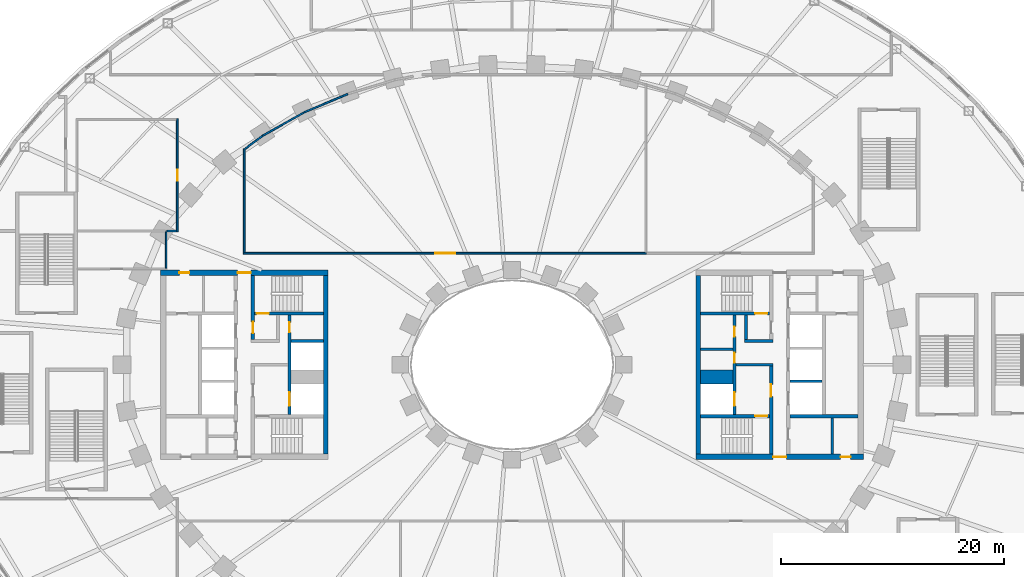
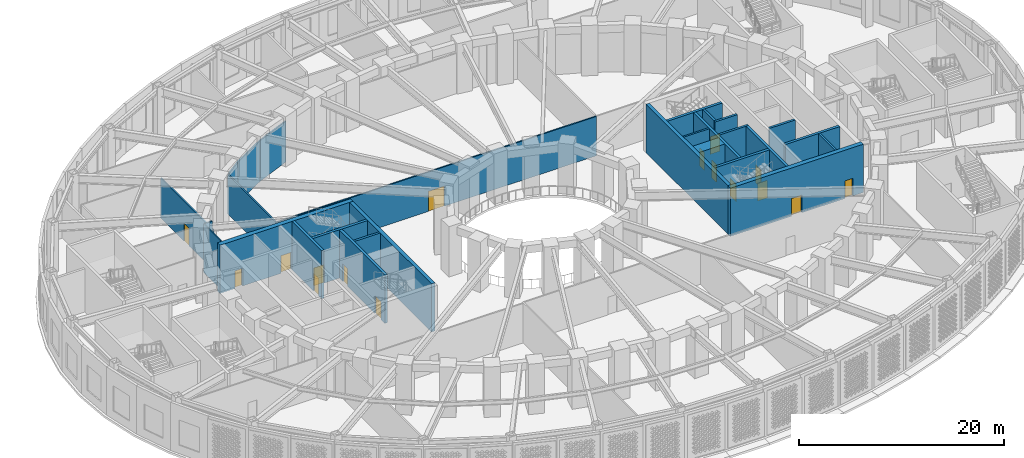
# One storey, part 23 of 74: 28 walls, 16 doors, 16 openings.
"""IFC4 building model written with IfcOpenShell, lengths in metres."""

from ifc_helpers import new_model, si_unit, direction, frame, frame_2d, origin, place, context, subcontext, project, spatial, rectangle, extrude, material, layer, layer_set, type_object, element, fill, save


model = new_model("IFC4")

# Units and contexts
model_context = context("Model", 3, precision=1e-05, world=origin(), true_north=direction((0.0, 1.0)))
body_context = subcontext(model_context, "Body", "Model", "MODEL_VIEW")
ifc_project = project(units=[si_unit("LENGTHUNIT", "METRE"), si_unit("AREAUNIT", "SQUARE_METRE"), si_unit("VOLUMEUNIT", "CUBIC_METRE"), si_unit("PLANEANGLEUNIT", "RADIAN"), si_unit("MASSUNIT", "GRAM", prefix="KILO")], contexts=[model_context])

# Site, building, storey
site_placement = place(None, origin())
site = spatial("IfcSite", under=ifc_project, at=site_placement, CompositionType="ELEMENT")
building_placement = place(site_placement, origin())
building = spatial("IfcBuilding", under=site, at=building_placement, Name="Noorbagh Ring Tower", CompositionType="ELEMENT")
storey_placement = place(building_placement, frame((0.0, 0.0, 13.5)))
storey = spatial("IfcBuildingStorey", under=building, at=storey_placement, Name="L02", CompositionType="ELEMENT", Elevation=13.5)

# Walls
ifc_material_1 = material(Name="Gypsum board on steel studs", Category="steel")
ifc_layer_1 = layer(ifc_material_1, 0.199951171875)
ifc_layer_set_1 = layer_set([ifc_layer_1], Name="Gypsum board on steel studs")
wall_type_1 = type_object("IfcWallType", Name="CORE-PARTITION-200", PredefinedType="PARTITIONING", material=ifc_layer_set_1)
wall_1_placement = place(storey_placement, frame((16.89990234375, 1.39990234375, 0.0), z_axis=(0.0, 0.0, 1.0), x_axis=(1.0, 0.0, 0.0)))
element("IfcWall", 1, at=wall_1_placement, inside=storey, type_object=wall_type_1, Name="Core partition E", PredefinedType="PARTITIONING", context=body_context, shape_type="SweptSolid", body=[
    extrude(rectangle(XDim=2.900146484375, YDim=0.199951171875, at=frame_2d((1.4501953125, 0.0))), origin(), (0.0, 0.0, 1.0), 5.75),
])
wall_2_placement = place(storey_placement, frame((28.699951171875, -8.0, 0.0), z_axis=(0.0, 0.0, 1.0), x_axis=(0.0, 1.0, 0.0)))
element("IfcWall", 2, at=wall_2_placement, inside=storey, type_object=wall_type_1, Name="Core partition E", PredefinedType="PARTITIONING", context=body_context, shape_type="SweptSolid", body=[
    extrude(rectangle(XDim=3.25, YDim=0.199951171875, at=frame_2d((1.625, 0.0))), origin(), (0.0, 0.0, 1.0), 5.75),
])
ifc_material_2 = material(Name="Concrete C70/85", Category="concrete")
ifc_layer_2 = layer(ifc_material_2, 1.25)
ifc_layer_set_2 = layer_set([ifc_layer_2], Name="Concrete C70/85")
wall_type_2 = type_object("IfcWallType", Name="CORE-WALL-1250-C70-85-EI120", PredefinedType="SHEAR", material=ifc_layer_set_2)
wall_3_placement = place(storey_placement, frame((16.89990234375, -1.074951171875, 0.0), z_axis=(0.0, 0.0, 1.0), x_axis=(1.0, 0.0, 0.0)))
element("IfcWall", 3, at=wall_3_placement, inside=storey, type_object=wall_type_2, Name="Core wall E", PredefinedType="SHEAR", context=body_context, shape_type="SweptSolid", body=[
    extrude(rectangle(XDim=2.900146484375, YDim=1.25, at=frame_2d((1.4501953125, 0.0))), origin(), (0.0, 0.0, 1.0), 5.75),
])
ifc_material_3 = material(Name="Concrete C70/85", Category="concrete")
ifc_layer_3 = layer(ifc_material_3, 0.25)
ifc_layer_set_3 = layer_set([ifc_layer_3], Name="Concrete C70/85")
wall_type_3 = type_object("IfcWallType", Name="CORE-WALL-250-C70-85-EI120", PredefinedType="SHEAR", material=ifc_layer_set_3)
for number, where, z_axis, x_axis, name in (
    (4, (-16.89990234375, 2.125, 0.0), (0.0, 0.0, 1.0), (-1.0, 0.0, 0.0), "Core wall W"),
    (5, (24.89990234375, -1.47509765625, 0.0), (0.0, 0.0, 1.0), (1.0, 0.0, 0.0), "Core wall E"),
):
    element("IfcWall", number, at=place(storey_placement, frame(where, z_axis=z_axis, x_axis=x_axis)), inside=storey, type_object=wall_type_3, Name=name, PredefinedType="SHEAR", context=body_context, shape_type="SweptSolid", body=[
        extrude(rectangle(XDim=2.900146484375, YDim=0.25, at=frame_2d((1.4501953125, 0.0))), origin(), (0.0, 0.0, 1.0), 5.75),
    ])
ifc_material_4 = material(Name="Concrete C70/85", Category="concrete")
ifc_layer_4 = layer(ifc_material_4, 0.25)
ifc_layer_set_4 = layer_set([ifc_layer_4], Name="Concrete C70/85")
wall_type_4 = type_object("IfcWallType", Name="CORE-WALL-250-C70-85-EI240", PredefinedType="SHEAR", material=ifc_layer_set_4)
wall_4_placement = place(storey_placement, frame((20.10009765625, 0.0, 0.0), z_axis=(0.0, 0.0, 1.0), x_axis=(1.0, 0.0, 0.0)))
element("IfcWall", 6, at=wall_4_placement, inside=storey, type_object=wall_type_4, Name="Core wall E", PredefinedType="SHEAR", context=body_context, shape_type="SweptSolid", body=[
    extrude(rectangle(XDim=3.27978515625, YDim=0.25, at=frame_2d((1.639892578125, 0.0))), origin(), (0.0, 0.0, 1.0), 5.75),
])
wall_5_placement = place(storey_placement, frame((20.85009765625, 2.125, 0.0), z_axis=(0.0, 0.0, 1.0), x_axis=(1.0, 0.0, 0.0)))
element("IfcWall", 7, at=wall_5_placement, inside=storey, type_object=wall_type_4, Name="Core wall E", PredefinedType="SHEAR", context=body_context, shape_type="SweptSolid", body=[
    extrude(rectangle(XDim=2.52978515625, YDim=0.25, at=frame_2d((1.264892578125, 0.0))), origin(), (0.0, 0.0, 1.0), 5.75),
])
wall_6_placement = place(storey_placement, frame((20.97509765625, 2.25, 0.0), z_axis=(0.0, 0.0, 1.0), x_axis=(0.0, 1.0, 0.0)))
element("IfcWall", 8, at=wall_6_placement, inside=storey, type_object=wall_type_4, Name="Core wall E", PredefinedType="SHEAR", context=body_context, shape_type="SweptSolid", body=[
    extrude(rectangle(XDim=2.199951171875, YDim=0.25, at=frame_2d((1.10009765625, 0.0))), origin(), (0.0, 0.0, 1.0), 5.75),
])

# Wall, openings, doors
ifc_material_5 = material(Name="Concrete C70/85", Category="concrete")
ifc_layer_5 = layer(ifc_material_5, 0.300048828125)
ifc_layer_set_5 = layer_set([ifc_layer_5], Name="Concrete C70/85")
wall_type_5 = type_object("IfcWallType", Name="CORE-WALL-300-C70-85-EI120", PredefinedType="SHEAR", material=ifc_layer_set_5)
wall_7_placement = place(storey_placement, frame((-19.949951171875, -4.449951171875, 0.0), z_axis=(0.0, 0.0, 1.0), x_axis=(0.0, 1.0, 0.0)))
wall_7 = element("IfcWall", 9, at=wall_7_placement, inside=storey, type_object=wall_type_5, Name="Core wall W", PredefinedType="SHEAR", context=body_context, shape_type="SweptSolid", body=[
    extrude(rectangle(XDim=8.89990234375, YDim=0.300048828125, at=frame_2d((4.449951171875, 0.0))), origin(), (0.0, 0.0, 1.0), 5.75),
])
opening_1_placement = place(wall_7_placement, frame((0.77490234375, 0.0, 0.0)))
opening_1 = element("IfcOpeningElement", 10, at=opening_1_placement, cuts=wall_7, Name="Opening L02-CW01", PredefinedType="OPENING", context=body_context, shape_type="SweptSolid", body=[
    extrude(rectangle(XDim=1.199951171875, YDim=2.10009765625, at=frame_2d((0.60009765625, 1.050048828125))), frame((0.0, 0.16015625, 0.0), z_axis=(0.0, -1.0, 0.0), x_axis=(1.0, 0.0, 0.0)), (0.0, 0.0, 1.0), 0.320068359375),
])
opening_2_placement = place(wall_7_placement, frame((7.35009765625, 0.0, 0.0)))
opening_2 = element("IfcOpeningElement", 11, at=opening_2_placement, cuts=wall_7, Name="Opening L02-CW11", PredefinedType="OPENING", context=body_context, shape_type="SweptSolid", body=[
    extrude(rectangle(XDim=0.89990234375, YDim=2.10009765625, at=frame_2d((0.449951171875, 1.050048828125))), frame((0.0, 0.16015625, 0.0), z_axis=(0.0, -1.0, 0.0), x_axis=(1.0, 0.0, 0.0)), (0.0, 0.0, 1.0), 0.320068359375),
])
ifc_material_6 = material(Name="Steel door leaf", Category="steel")
door_type_1 = type_object("IfcDoorType", Name="CORE-DOOR-DROOM", OperationType="SINGLE_SWING_LEFT", PredefinedType="DOOR", material=ifc_material_6)
door_1_placement = place(opening_2_placement, origin())
door_1 = element("IfcDoor", 12, at=door_1_placement, inside=storey, type_object=door_type_1, Name="Core room door L02-CW11", OperationType="SINGLE_SWING_LEFT", OverallHeight=2.10009765625, OverallWidth=0.89990234375, PredefinedType="DOOR", context=body_context, shape_type="SweptSolid", body=[
    extrude(rectangle(XDim=0.89990234375, YDim=2.10009765625, at=frame_2d((0.449951171875, 1.050048828125))), frame((0.0, 0.02490234375, 0.0), z_axis=(0.0, -1.0, 0.0), x_axis=(1.0, 0.0, 0.0)), (0.0, 0.0, 1.0), 0.050048828125),
])
fill(opening_2, door_1)
ifc_material_7 = material(Name="Steel door leaf", Category="steel")
door_type_2 = type_object("IfcDoorType", Name="CORE-DOOR-LDW", OperationType="DOUBLE_DOOR_SLIDING", PredefinedType="DOOR", material=ifc_material_7)
door_2_placement = place(opening_1_placement, origin())
door_2 = element("IfcDoor", 13, at=door_2_placement, inside=storey, type_object=door_type_2, Name="Landing door FF1 L02-CW01", OperationType="DOUBLE_DOOR_SLIDING", OverallHeight=2.10009765625, OverallWidth=1.199951171875, PredefinedType="DOOR", context=body_context, shape_type="SweptSolid", body=[
    extrude(rectangle(XDim=1.199951171875, YDim=2.10009765625, at=frame_2d((0.60009765625, 1.050048828125))), frame((0.0, 0.02490234375, 0.0), z_axis=(0.0, -1.0, 0.0), x_axis=(1.0, 0.0, 0.0)), (0.0, 0.0, 1.0), 0.050048828125),
])
fill(opening_1, door_2)

wall_8_placement = place(storey_placement, frame((19.949951171875, -4.449951171875, 0.0), z_axis=(0.0, 0.0, 1.0), x_axis=(0.0, 1.0, 0.0)))
wall_8 = element("IfcWall", 14, at=wall_8_placement, inside=storey, type_object=wall_type_5, Name="Core wall E", PredefinedType="SHEAR", context=body_context, shape_type="SweptSolid", body=[
    extrude(rectangle(XDim=8.89990234375, YDim=0.300048828125, at=frame_2d((4.449951171875, 0.0))), origin(), (0.0, 0.0, 1.0), 5.75),
])
opening_3_placement = place(wall_8_placement, frame((0.77490234375, 0.0, 0.0)))
opening_3 = element("IfcOpeningElement", 15, at=opening_3_placement, cuts=wall_8, Name="Opening L02-CE01", PredefinedType="OPENING", context=body_context, shape_type="SweptSolid", body=[
    extrude(rectangle(XDim=1.199951171875, YDim=2.10009765625, at=frame_2d((0.60009765625, 1.050048828125))), frame((0.0, 0.16015625, 0.0), z_axis=(0.0, -1.0, 0.0), x_axis=(1.0, 0.0, 0.0)), (0.0, 0.0, 1.0), 0.320068359375),
])
opening_4_placement = place(wall_8_placement, frame((4.6201171875, 0.0, 0.0)))
opening_4 = element("IfcOpeningElement", 16, at=opening_4_placement, cuts=wall_8, Name="Opening L02-CE11", PredefinedType="OPENING", context=body_context, shape_type="SweptSolid", body=[
    extrude(rectangle(XDim=0.89990234375, YDim=2.10009765625, at=frame_2d((0.449951171875, 1.050048828125))), frame((0.0, 0.16015625, 0.0), z_axis=(0.0, -1.0, 0.0), x_axis=(1.0, 0.0, 0.0)), (0.0, 0.0, 1.0), 0.320068359375),
])
opening_5_placement = place(wall_8_placement, frame((6.97509765625, 0.0, 0.0)))
opening_5 = element("IfcOpeningElement", 17, at=opening_5_placement, cuts=wall_8, Name="Opening L02-CE12", PredefinedType="OPENING", context=body_context, shape_type="SweptSolid", body=[
    extrude(rectangle(XDim=0.89990234375, YDim=2.10009765625, at=frame_2d((0.449951171875, 1.050048828125))), frame((0.0, 0.16015625, 0.0), z_axis=(0.0, -1.0, 0.0), x_axis=(1.0, 0.0, 0.0)), (0.0, 0.0, 1.0), 0.320068359375),
])
door_3_placement = place(opening_4_placement, origin())
door_3 = element("IfcDoor", 18, at=door_3_placement, inside=storey, type_object=door_type_1, Name="Core room door L02-CE11", OperationType="SINGLE_SWING_LEFT", OverallHeight=2.10009765625, OverallWidth=0.89990234375, PredefinedType="DOOR", context=body_context, shape_type="SweptSolid", body=[
    extrude(rectangle(XDim=0.89990234375, YDim=2.10009765625, at=frame_2d((0.449951171875, 1.050048828125))), frame((0.0, 0.02490234375, 0.0), z_axis=(0.0, -1.0, 0.0), x_axis=(1.0, 0.0, 0.0)), (0.0, 0.0, 1.0), 0.050048828125),
])
fill(opening_4, door_3)
door_4_placement = place(opening_5_placement, origin())
door_4 = element("IfcDoor", 19, at=door_4_placement, inside=storey, type_object=door_type_1, Name="Core room door L02-CE12", OperationType="SINGLE_SWING_RIGHT", OverallHeight=2.10009765625, OverallWidth=0.89990234375, PredefinedType="DOOR", context=body_context, shape_type="SweptSolid", body=[
    extrude(rectangle(XDim=0.89990234375, YDim=2.10009765625, at=frame_2d((0.449951171875, 1.050048828125))), frame((0.0, 0.02490234375, 0.0), z_axis=(0.0, -1.0, 0.0), x_axis=(1.0, 0.0, 0.0)), (0.0, 0.0, 1.0), 0.050048828125),
])
fill(opening_5, door_4)
door_5_placement = place(opening_3_placement, origin())
door_5 = element("IfcDoor", 20, at=door_5_placement, inside=storey, type_object=door_type_2, Name="Landing door FF2 L02-CE01", OperationType="DOUBLE_DOOR_SLIDING", OverallHeight=2.10009765625, OverallWidth=1.199951171875, PredefinedType="DOOR", context=body_context, shape_type="SweptSolid", body=[
    extrude(rectangle(XDim=1.199951171875, YDim=2.10009765625, at=frame_2d((0.60009765625, 1.050048828125))), frame((0.0, 0.02490234375, 0.0), z_axis=(0.0, -1.0, 0.0), x_axis=(1.0, 0.0, 0.0)), (0.0, 0.0, 1.0), 0.050048828125),
])
fill(opening_3, door_5)

# Wall, opening, door
ifc_material_8 = material(Name="Concrete C70/85", Category="concrete")
ifc_layer_6 = layer(ifc_material_8, 0.300048828125)
ifc_layer_set_6 = layer_set([ifc_layer_6], Name="Concrete C70/85")
wall_type_6 = type_object("IfcWallType", Name="CORE-WALL-300-C70-85-EI240", PredefinedType="SHEAR", material=ifc_layer_set_6)
wall_9_placement = place(storey_placement, frame((-23.22998046875, 2.25, 0.0), z_axis=(0.0, 0.0, 1.0), x_axis=(0.0, 1.0, 0.0)))
wall_9 = element("IfcWall", 21, at=wall_9_placement, inside=storey, type_object=wall_type_6, Name="Core wall W", PredefinedType="SHEAR", context=body_context, shape_type="SweptSolid", body=[
    extrude(rectangle(XDim=5.75, YDim=0.300048828125, at=frame_2d((2.875, 0.0))), origin(), (0.0, 0.0, 1.0), 5.75),
])
opening_6_placement = place(wall_9_placement, frame((0.60009765625, 0.0, 0.0)))
opening_6 = element("IfcOpeningElement", 22, at=opening_6_placement, cuts=wall_9, Name="Opening L02-CW08", PredefinedType="OPENING", context=body_context, shape_type="SweptSolid", body=[
    extrude(rectangle(XDim=1.0, YDim=2.10009765625, at=frame_2d((0.5, 1.050048828125))), frame((0.0, 0.16015625, 0.0), z_axis=(0.0, -1.0, 0.0), x_axis=(1.0, 0.0, 0.0)), (0.0, 0.0, 1.0), 0.320068359375),
])
ifc_material_9 = material(Name="Steel door leaf", Category="steel")
door_type_3 = type_object("IfcDoorType", Name="CORE-DOOR-DVEST", OperationType="SINGLE_SWING_LEFT", PredefinedType="DOOR", material=ifc_material_9)
door_6_placement = place(opening_6_placement, origin())
door_6 = element("IfcDoor", 23, at=door_6_placement, inside=storey, type_object=door_type_3, Name="Stair vestibule door L02-CW08", OperationType="SINGLE_SWING_LEFT", OverallHeight=2.10009765625, OverallWidth=1.0, PredefinedType="DOOR", context=body_context, shape_type="SweptSolid", body=[
    extrude(rectangle(XDim=1.0, YDim=2.10009765625, at=frame_2d((0.5, 1.050048828125))), frame((0.0, 0.02490234375, 0.0), z_axis=(0.0, -1.0, 0.0), x_axis=(1.0, 0.0, 0.0)), (0.0, 0.0, 1.0), 0.050048828125),
])
fill(opening_6, door_6)

wall_10_placement = place(storey_placement, frame((-16.89990234375, 4.60009765625, 0.0), z_axis=(0.0, 0.0, 1.0), x_axis=(-1.0, 0.0, 0.0)))
wall_10 = element("IfcWall", 24, at=wall_10_placement, inside=storey, type_object=wall_type_6, Name="Core wall W", PredefinedType="SHEAR", context=body_context, shape_type="SweptSolid", body=[
    extrude(rectangle(XDim=6.18017578125, YDim=0.300048828125, at=frame_2d((3.090087890625, 0.0))), origin(), (0.0, 0.0, 1.0), 5.75),
])
opening_7_placement = place(wall_10_placement, frame((4.89990234375, 0.0, 0.0)))
opening_7 = element("IfcOpeningElement", 25, at=opening_7_placement, cuts=wall_10, Name="Opening L02-CW05", PredefinedType="OPENING", context=body_context, shape_type="SweptSolid", body=[
    extrude(rectangle(XDim=1.10009765625, YDim=2.10009765625, at=frame_2d((0.550048828125, 1.050048828125))), frame((0.0, 0.16015625, 0.0), z_axis=(0.0, -1.0, 0.0), x_axis=(1.0, 0.0, 0.0)), (0.0, 0.0, 1.0), 0.320068359375),
])
ifc_material_10 = material(Name="Steel door leaf", Category="steel")
door_type_4 = type_object("IfcDoorType", Name="CORE-DOOR-DSTAIR", OperationType="SINGLE_SWING_LEFT", PredefinedType="DOOR", material=ifc_material_10)
door_7_placement = place(opening_7_placement, origin())
door_7 = element("IfcDoor", 26, at=door_7_placement, inside=storey, type_object=door_type_4, Name="Stair door ST1 L02-CW05", OperationType="SINGLE_SWING_RIGHT", OverallHeight=2.10009765625, OverallWidth=1.10009765625, PredefinedType="DOOR", context=body_context, shape_type="SweptSolid", body=[
    extrude(rectangle(XDim=1.10009765625, YDim=2.10009765625, at=frame_2d((0.550048828125, 1.050048828125))), frame((0.0, 0.02490234375, 0.0), z_axis=(0.0, -1.0, 0.0), x_axis=(1.0, 0.0, 0.0)), (0.0, 0.0, 1.0), 0.050048828125),
])
fill(opening_7, door_7)

# Wall
wall_11_placement = place(storey_placement, frame((24.89990234375, -4.60009765625, 0.0), z_axis=(0.0, 0.0, 1.0), x_axis=(1.0, 0.0, 0.0)))
element("IfcWall", 27, at=wall_11_placement, inside=storey, type_object=wall_type_6, Name="Core wall E", PredefinedType="SHEAR", context=body_context, shape_type="SweptSolid", body=[
    extrude(rectangle(XDim=6.10009765625, YDim=0.300048828125, at=frame_2d((3.050048828125, 0.0))), origin(), (0.0, 0.0, 1.0), 5.75),
])

# Wall, opening, door
wall_12_placement = place(storey_placement, frame((23.22998046875, -8.0, 0.0), z_axis=(0.0, 0.0, 1.0), x_axis=(0.0, 1.0, 0.0)))
wall_12 = element("IfcWall", 28, at=wall_12_placement, inside=storey, type_object=wall_type_6, Name="Core wall E", PredefinedType="SHEAR", context=body_context, shape_type="SweptSolid", body=[
    extrude(rectangle(XDim=7.875, YDim=0.300048828125, at=frame_2d((3.9375, 0.0))), origin(), (0.0, 0.0, 1.0), 5.75),
])
opening_8_placement = place(wall_12_placement, frame((5.14990234375, 0.0, 0.0)))
opening_8 = element("IfcOpeningElement", 29, at=opening_8_placement, cuts=wall_12, Name="Opening L02-CE07", PredefinedType="OPENING", context=body_context, shape_type="SweptSolid", body=[
    extrude(rectangle(XDim=1.10009765625, YDim=2.10009765625, at=frame_2d((0.550048828125, 1.050048828125))), frame((0.0, 0.16015625, 0.0), z_axis=(0.0, -1.0, 0.0), x_axis=(1.0, 0.0, 0.0)), (0.0, 0.0, 1.0), 0.320068359375),
])
ifc_material_11 = material(Name="Steel door leaf", Category="steel")
door_type_5 = type_object("IfcDoorType", Name="CORE-DOOR-DFF", OperationType="SINGLE_SWING_LEFT", PredefinedType="DOOR", material=ifc_material_11)
door_8_placement = place(opening_8_placement, origin())
door_8 = element("IfcDoor", 30, at=door_8_placement, inside=storey, type_object=door_type_5, Name="Firefighting lobby door L02-CE07", OperationType="SINGLE_SWING_RIGHT", OverallHeight=2.10009765625, OverallWidth=1.10009765625, PredefinedType="DOOR", context=body_context, shape_type="SweptSolid", body=[
    extrude(rectangle(XDim=1.10009765625, YDim=2.10009765625, at=frame_2d((0.550048828125, 1.050048828125))), frame((0.0, 0.02490234375, 0.0), z_axis=(0.0, -1.0, 0.0), x_axis=(1.0, 0.0, 0.0)), (0.0, 0.0, 1.0), 0.050048828125),
])
fill(opening_8, door_8)

wall_13_placement = place(storey_placement, frame((16.89990234375, 4.60009765625, 0.0), z_axis=(0.0, 0.0, 1.0), x_axis=(1.0, 0.0, 0.0)))
wall_13 = element("IfcWall", 31, at=wall_13_placement, inside=storey, type_object=wall_type_6, Name="Core wall E", PredefinedType="SHEAR", context=body_context, shape_type="SweptSolid", body=[
    extrude(rectangle(XDim=6.18017578125, YDim=0.300048828125, at=frame_2d((3.090087890625, 0.0))), origin(), (0.0, 0.0, 1.0), 5.75),
])
opening_9_placement = place(wall_13_placement, frame((4.89990234375, 0.0, 0.0)))
opening_9 = element("IfcOpeningElement", 32, at=opening_9_placement, cuts=wall_13, Name="Opening L02-CE05", PredefinedType="OPENING", context=body_context, shape_type="SweptSolid", body=[
    extrude(rectangle(XDim=1.10009765625, YDim=2.10009765625, at=frame_2d((0.550048828125, 1.050048828125))), frame((0.0, 0.16015625, 0.0), z_axis=(0.0, -1.0, 0.0), x_axis=(1.0, 0.0, 0.0)), (0.0, 0.0, 1.0), 0.320068359375),
])
door_9_placement = place(opening_9_placement, origin())
door_9 = element("IfcDoor", 33, at=door_9_placement, inside=storey, type_object=door_type_4, Name="Stair door ST3 L02-CE05", OperationType="SINGLE_SWING_LEFT", OverallHeight=2.10009765625, OverallWidth=1.10009765625, PredefinedType="DOOR", context=body_context, shape_type="SweptSolid", body=[
    extrude(rectangle(XDim=1.10009765625, YDim=2.10009765625, at=frame_2d((0.550048828125, 1.050048828125))), frame((0.0, 0.02490234375, 0.0), z_axis=(0.0, -1.0, 0.0), x_axis=(1.0, 0.0, 0.0)), (0.0, 0.0, 1.0), 0.050048828125),
])
fill(opening_9, door_9)

wall_14_placement = place(storey_placement, frame((16.89990234375, -4.60009765625, 0.0), z_axis=(0.0, 0.0, 1.0), x_axis=(1.0, 0.0, 0.0)))
wall_14 = element("IfcWall", 34, at=wall_14_placement, inside=storey, type_object=wall_type_6, Name="Core wall E", PredefinedType="SHEAR", context=body_context, shape_type="SweptSolid", body=[
    extrude(rectangle(XDim=6.18017578125, YDim=0.300048828125, at=frame_2d((3.090087890625, 0.0))), origin(), (0.0, 0.0, 1.0), 5.75),
])
opening_10_placement = place(wall_14_placement, frame((4.89990234375, 0.0, 0.0)))
opening_10 = element("IfcOpeningElement", 35, at=opening_10_placement, cuts=wall_14, Name="Opening L02-CE06", PredefinedType="OPENING", context=body_context, shape_type="SweptSolid", body=[
    extrude(rectangle(XDim=1.10009765625, YDim=2.10009765625, at=frame_2d((0.550048828125, 1.050048828125))), frame((0.0, 0.16015625, 0.0), z_axis=(0.0, -1.0, 0.0), x_axis=(1.0, 0.0, 0.0)), (0.0, 0.0, 1.0), 0.320068359375),
])
door_10_placement = place(opening_10_placement, origin())
door_10 = element("IfcDoor", 36, at=door_10_placement, inside=storey, type_object=door_type_4, Name="Stair door ST4 L02-CE06", OperationType="SINGLE_SWING_RIGHT", OverallHeight=2.10009765625, OverallWidth=1.10009765625, PredefinedType="DOOR", context=body_context, shape_type="SweptSolid", body=[
    extrude(rectangle(XDim=1.10009765625, YDim=2.10009765625, at=frame_2d((0.550048828125, 1.050048828125))), frame((0.0, 0.02490234375, 0.0), z_axis=(0.0, -1.0, 0.0), x_axis=(1.0, 0.0, 0.0)), (0.0, 0.0, 1.0), 0.050048828125),
])
fill(opening_10, door_10)

# Walls
ifc_material_12 = material(Name="Concrete C70/85", Category="concrete")
ifc_layer_7 = layer(ifc_material_12, 0.39990234375)
ifc_layer_set_7 = layer_set([ifc_layer_7], Name="Concrete C70/85")
wall_type_7 = type_object("IfcWallType", Name="CORE-WALL-400-C70-85-EI240", PredefinedType="SHEAR", material=ifc_layer_set_7)
for number, where, z_axis, x_axis, name in (
    (37, (-16.699951171875, -8.0, 0.0), (0.0, 0.0, 1.0), (0.0, 1.0, 0.0), "Core wall W"),
    (38, (16.699951171875, -8.0, 0.0), (0.0, 0.0, 1.0), (0.0, 1.0, 0.0), "Core wall E"),
):
    element("IfcWall", number, at=place(storey_placement, frame(where, z_axis=z_axis, x_axis=x_axis)), inside=storey, type_object=wall_type_7, Name=name, PredefinedType="SHEAR", context=body_context, shape_type="SweptSolid", body=[
        extrude(rectangle(XDim=16.0, YDim=0.39990234375, at=frame_2d((8.0, 0.0))), origin(), (0.0, 0.0, 1.0), 5.75),
    ])

# Wall, openings, doors
ifc_material_13 = material(Name="Concrete C70/85", Category="concrete")
ifc_layer_8 = layer(ifc_material_13, 0.5)
ifc_layer_set_8 = layer_set([ifc_layer_8], Name="Concrete C70/85")
wall_type_8 = type_object("IfcWallType", Name="CORE-WALL-500-C70-85-EI240", PredefinedType="SHEAR", material=ifc_layer_set_8)
wall_15_placement = place(storey_placement, frame((-16.5, 8.25, 0.0), z_axis=(0.0, 0.0, 1.0), x_axis=(-1.0, 0.0, 0.0)))
wall_15 = element("IfcWall", 39, at=wall_15_placement, inside=storey, type_object=wall_type_8, Name="Core wall W", PredefinedType="SHEAR", context=body_context, shape_type="SweptSolid", body=[
    extrude(rectangle(XDim=15.0, YDim=0.5, at=frame_2d((7.5, 0.0))), origin(), (0.0, 0.0, 1.0), 5.75),
])
opening_11_placement = place(wall_15_placement, frame((6.89990234375, 0.0, 0.0)))
opening_11 = element("IfcOpeningElement", 40, at=opening_11_placement, cuts=wall_15, Name="Opening L02-CW09", PredefinedType="OPENING", context=body_context, shape_type="SweptSolid", body=[
    extrude(rectangle(XDim=1.199951171875, YDim=2.10009765625, at=frame_2d((0.60009765625, 1.050048828125))), frame((0.0, 0.260009765625, 0.0), z_axis=(0.0, -1.0, 0.0), x_axis=(1.0, 0.0, 0.0)), (0.0, 0.0, 1.0), 0.52001953125),
])
opening_12_placement = place(wall_15_placement, frame((12.425048828125, 0.0, 0.0)))
opening_12 = element("IfcOpeningElement", 41, at=opening_12_placement, cuts=wall_15, Name="Opening L02-CW13", PredefinedType="OPENING", context=body_context, shape_type="SweptSolid", body=[
    extrude(rectangle(XDim=0.89990234375, YDim=2.10009765625, at=frame_2d((0.449951171875, 1.050048828125))), frame((0.0, 0.260009765625, 0.0), z_axis=(0.0, -1.0, 0.0), x_axis=(1.0, 0.0, 0.0)), (0.0, 0.0, 1.0), 0.52001953125),
])
door_11_placement = place(opening_12_placement, origin())
door_11 = element("IfcDoor", 42, at=door_11_placement, inside=storey, type_object=door_type_1, Name="Core room door L02-CW13", OperationType="SINGLE_SWING_RIGHT", OverallHeight=2.10009765625, OverallWidth=0.89990234375, PredefinedType="DOOR", context=body_context, shape_type="SweptSolid", body=[
    extrude(rectangle(XDim=0.89990234375, YDim=2.10009765625, at=frame_2d((0.449951171875, 1.050048828125))), frame((0.0, 0.02490234375, 0.0), z_axis=(0.0, -1.0, 0.0), x_axis=(1.0, 0.0, 0.0)), (0.0, 0.0, 1.0), 0.050048828125),
])
fill(opening_12, door_11)
ifc_material_14 = material(Name="Steel door leaf", Category="steel")
door_type_6 = type_object("IfcDoorType", Name="CORE-DOOR-PORT", OperationType="DOUBLE_DOOR_DOUBLE_SWING", PredefinedType="DOOR", material=ifc_material_14)
door_12_placement = place(opening_11_placement, origin())
door_12 = element("IfcDoor", 43, at=door_12_placement, inside=storey, type_object=door_type_6, Name="Core entrance door L02-CW09", OperationType="DOUBLE_DOOR_DOUBLE_SWING", OverallHeight=2.10009765625, OverallWidth=1.199951171875, PredefinedType="DOOR", context=body_context, shape_type="SweptSolid", body=[
    extrude(rectangle(XDim=1.199951171875, YDim=2.10009765625, at=frame_2d((0.60009765625, 1.050048828125))), frame((0.0, 0.02490234375, 0.0), z_axis=(0.0, -1.0, 0.0), x_axis=(1.0, 0.0, 0.0)), (0.0, 0.0, 1.0), 0.050048828125),
])
fill(opening_11, door_12)

wall_16_placement = place(storey_placement, frame((16.5, -8.25, 0.0), z_axis=(0.0, 0.0, 1.0), x_axis=(1.0, 0.0, 0.0)))
wall_16 = element("IfcWall", 44, at=wall_16_placement, inside=storey, type_object=wall_type_8, Name="Core wall E", PredefinedType="SHEAR", context=body_context, shape_type="SweptSolid", body=[
    extrude(rectangle(XDim=15.0, YDim=0.5, at=frame_2d((7.5, 0.0))), origin(), (0.0, 0.0, 1.0), 5.75),
])
opening_13_placement = place(wall_16_placement, frame((6.89990234375, 0.0, 0.0)))
opening_13 = element("IfcOpeningElement", 45, at=opening_13_placement, cuts=wall_16, Name="Opening L02-CE10", PredefinedType="OPENING", context=body_context, shape_type="SweptSolid", body=[
    extrude(rectangle(XDim=1.199951171875, YDim=2.10009765625, at=frame_2d((0.60009765625, 1.050048828125))), frame((0.0, 0.260009765625, 0.0), z_axis=(0.0, -1.0, 0.0), x_axis=(1.0, 0.0, 0.0)), (0.0, 0.0, 1.0), 0.52001953125),
])
opening_14_placement = place(wall_16_placement, frame((12.949951171875, 0.0, 0.0)))
opening_14 = element("IfcOpeningElement", 46, at=opening_14_placement, cuts=wall_16, Name="Opening L02-CE17", PredefinedType="OPENING", context=body_context, shape_type="SweptSolid", body=[
    extrude(rectangle(XDim=0.89990234375, YDim=2.10009765625, at=frame_2d((0.449951171875, 1.050048828125))), frame((0.0, 0.260009765625, 0.0), z_axis=(0.0, -1.0, 0.0), x_axis=(1.0, 0.0, 0.0)), (0.0, 0.0, 1.0), 0.52001953125),
])
door_13_placement = place(opening_14_placement, origin())
door_13 = element("IfcDoor", 47, at=door_13_placement, inside=storey, type_object=door_type_1, Name="Core room door L02-CE17", OperationType="SINGLE_SWING_RIGHT", OverallHeight=2.10009765625, OverallWidth=0.89990234375, PredefinedType="DOOR", context=body_context, shape_type="SweptSolid", body=[
    extrude(rectangle(XDim=0.89990234375, YDim=2.10009765625, at=frame_2d((0.449951171875, 1.050048828125))), frame((0.0, 0.02490234375, 0.0), z_axis=(0.0, -1.0, 0.0), x_axis=(1.0, 0.0, 0.0)), (0.0, 0.0, 1.0), 0.050048828125),
])
fill(opening_14, door_13)
door_14_placement = place(opening_13_placement, origin())
door_14 = element("IfcDoor", 48, at=door_14_placement, inside=storey, type_object=door_type_6, Name="Core entrance door L02-CE10", OperationType="DOUBLE_DOOR_DOUBLE_SWING", OverallHeight=2.10009765625, OverallWidth=1.199951171875, PredefinedType="DOOR", context=body_context, shape_type="SweptSolid", body=[
    extrude(rectangle(XDim=1.199951171875, YDim=2.10009765625, at=frame_2d((0.60009765625, 1.050048828125))), frame((0.0, 0.02490234375, 0.0), z_axis=(0.0, -1.0, 0.0), x_axis=(1.0, 0.0, 0.0)), (0.0, 0.0, 1.0), 0.050048828125),
])
fill(opening_13, door_14)

# Walls
ifc_material_15 = material(Name="Gypsum board on steel studs", Category="steel")
ifc_layer_9 = layer(ifc_material_15, 0.14990234375)
ifc_layer_set_9 = layer_set([ifc_layer_9], Name="Gypsum board on steel studs")
wall_type_9 = type_object("IfcWallType", Name="GND-PART-150", PredefinedType="PARTITIONING", material=ifc_layer_set_9)
wall_17_placement = place(storey_placement, frame((-23.9267578125, 19.361083984375, 0.0), z_axis=(0.0, 0.0, 1.0), x_axis=(0.805121312462, 0.593110168703, 0.0)))
element("IfcWall", 49, at=wall_17_placement, inside=storey, type_object=wall_type_9, Name="L02/wall/P003", PredefinedType="PARTITIONING", context=body_context, shape_type="SweptSolid", body=[
    extrude(rectangle(XDim=1.968017578125, YDim=0.14990234375, at=frame_2d((0.98388671875, 0.0))), origin(), (0.0, 0.0, 1.0), 4.85009765625),
])
wall_18_placement = place(storey_placement, frame((-22.345947265625, 20.537109375, 0.0), z_axis=(0.0, 0.0, 1.0), x_axis=(0.872066959566, 0.489386573204, 0.0)))
element("IfcWall", 50, at=wall_18_placement, inside=storey, type_object=wall_type_9, Name="L02/wall/P004", PredefinedType="PARTITIONING", context=body_context, shape_type="SweptSolid", body=[
    extrude(rectangle(XDim=4.241943359375, YDim=0.14990234375, at=frame_2d((2.12109375, 0.0))), origin(), (0.0, 0.0, 1.0), 4.85009765625),
])
wall_19_placement = place(storey_placement, frame((-18.6494140625, 22.621337890625, 0.0), z_axis=(0.0, 0.0, 1.0), x_axis=(0.921813560734, 0.387633537309, 0.0)))
element("IfcWall", 51, at=wall_19_placement, inside=storey, type_object=wall_type_9, Name="L02/wall/P005", PredefinedType="PARTITIONING", context=body_context, shape_type="SweptSolid", body=[
    extrude(rectangle(XDim=4.253173828125, YDim=0.14990234375, at=frame_2d((2.12646484375, 0.0))), origin(), (0.0, 0.0, 1.0), 4.85009765625),
])

# Wall, opening, door
wall_20_placement = place(storey_placement, frame((12.074951171875, 10.0, 0.0), z_axis=(0.0, 0.0, 1.0), x_axis=(-1.0, 0.0, 0.0)))
wall_20 = element("IfcWall", 52, at=wall_20_placement, inside=storey, type_object=wall_type_9, Name="L02/wall/P010", PredefinedType="PARTITIONING", context=body_context, shape_type="SweptSolid", body=[
    extrude(rectangle(XDim=36.14990234375, YDim=0.14990234375, at=frame_2d((18.074951171875, 0.0))), origin(), (0.0, 0.0, 1.0), 4.699951171875),
])
opening_15_placement = place(wall_20_placement, frame((17.175048828125, 0.0, 0.0)))
opening_15 = element("IfcOpeningElement", 53, at=opening_15_placement, cuts=wall_20, Name="Opening GD7", PredefinedType="OPENING", context=body_context, shape_type="SweptSolid", body=[
    extrude(rectangle(XDim=1.800048828125, YDim=2.39990234375, at=frame_2d((0.89990234375, 1.199951171875))), frame((0.0, 0.0849609375, 0.0), z_axis=(0.0, -1.0, 0.0), x_axis=(1.0, 0.0, 0.0)), (0.0, 0.0, 1.0), 0.169921875),
])
ifc_material_16 = material(Name="Timber and glass", Category="wood")
door_type_7 = type_object("IfcDoorType", Name="GND-DOOR-HALL-DBL", OperationType="DOUBLE_DOOR_SINGLE_SWING", PredefinedType="DOOR", material=ifc_material_16)
door_15_placement = place(opening_15_placement, origin())
door_15 = element("IfcDoor", 54, at=door_15_placement, inside=storey, type_object=door_type_7, Name="Auditorium stalls door", OperationType="DOUBLE_DOOR_SINGLE_SWING", OverallHeight=2.39990234375, OverallWidth=1.800048828125, PredefinedType="DOOR", context=body_context, shape_type="SweptSolid", body=[
    extrude(rectangle(XDim=1.800048828125, YDim=2.39990234375, at=frame_2d((0.89990234375, 1.199951171875))), frame((0.0, 0.02490234375, 0.0), z_axis=(0.0, -1.0, 0.0), x_axis=(1.0, 0.0, 0.0)), (0.0, 0.0, 1.0), 0.050048828125),
])
fill(opening_15, door_15)

# Wall
wall_21_placement = place(storey_placement, frame((-24.0, 10.074951171875, 0.0), z_axis=(0.0, 0.0, 1.0), x_axis=(0.0, 1.0, 0.0)))
element("IfcWall", 55, at=wall_21_placement, inside=storey, type_object=wall_type_9, Name="L02/wall/P011", PredefinedType="PARTITIONING", context=body_context, shape_type="SweptSolid", body=[
    extrude(rectangle(XDim=9.30712890625, YDim=0.14990234375, at=frame_2d((4.653564453125, 0.0))), origin(), (0.0, 0.0, 1.0), 4.699951171875),
])

# Wall, opening, door
wall_22_placement = place(storey_placement, frame((-30.0, 22.074951171875, 0.0), z_axis=(0.0, 0.0, 1.0), x_axis=(0.0, -1.0, 0.0)))
wall_22 = element("IfcWall", 56, at=wall_22_placement, inside=storey, type_object=wall_type_9, Name="L02/wall/P045", PredefinedType="PARTITIONING", context=body_context, shape_type="SweptSolid", body=[
    extrude(rectangle(XDim=10.14990234375, YDim=0.14990234375, at=frame_2d((5.074951171875, 0.0))), origin(), (0.0, 0.0, 1.0), 4.75),
])
opening_16_placement = place(wall_22_placement, frame((4.574951171875, 0.0, 0.0)))
opening_16 = element("IfcOpeningElement", 57, at=opening_16_placement, cuts=wall_22, Name="Opening GD6", PredefinedType="OPENING", context=body_context, shape_type="SweptSolid", body=[
    extrude(rectangle(XDim=1.0, YDim=2.10009765625, at=frame_2d((0.5, 1.050048828125))), frame((0.0, 0.0849609375, 0.0), z_axis=(0.0, -1.0, 0.0), x_axis=(1.0, 0.0, 0.0)), (0.0, 0.0, 1.0), 0.169921875),
])
ifc_material_17 = material(Name="Timber", Category="wood")
door_type_8 = type_object("IfcDoorType", Name="GND-DOOR-HALL", OperationType="SINGLE_SWING_LEFT", PredefinedType="DOOR", material=ifc_material_17)
door_16_placement = place(opening_16_placement, origin())
door_16 = element("IfcDoor", 58, at=door_16_placement, inside=storey, type_object=door_type_8, Name="Public WCs door", OperationType="SINGLE_SWING_RIGHT", OverallHeight=2.10009765625, OverallWidth=1.0, PredefinedType="DOOR", context=body_context, shape_type="SweptSolid", body=[
    extrude(rectangle(XDim=1.0, YDim=2.10009765625, at=frame_2d((0.5, 1.050048828125))), frame((0.0, 0.02490234375, 0.0), z_axis=(0.0, -1.0, 0.0), x_axis=(1.0, 0.0, 0.0)), (0.0, 0.0, 1.0), 0.050048828125),
])
fill(opening_16, door_16)

# Walls
wall_23_placement = place(storey_placement, frame((-30.074951171875, 12.0, 0.0), z_axis=(0.0, 0.0, 1.0), x_axis=(-1.0, 0.0, 0.0)))
element("IfcWall", 59, at=wall_23_placement, inside=storey, type_object=wall_type_9, Name="L02/wall/P046", PredefinedType="PARTITIONING", context=body_context, shape_type="SweptSolid", body=[
    extrude(rectangle(XDim=0.860107421875, YDim=0.14990234375, at=frame_2d((0.43017578125, 0.0))), origin(), (0.0, 0.0, 1.0), 5.75),
])
wall_24_placement = place(storey_placement, frame((-31.0, 11.925048828125, 0.0), z_axis=(0.0, 0.0, 1.0), x_axis=(0.0, -1.0, 0.0)))
element("IfcWall", 60, at=wall_24_placement, inside=storey, type_object=wall_type_9, Name="L02/wall/P050", PredefinedType="PARTITIONING", context=body_context, shape_type="SweptSolid", body=[
    extrude(rectangle(XDim=3.25, YDim=0.14990234375, at=frame_2d((1.625, 0.0))), origin(), (0.0, 0.0, 1.0), 5.75),
])

save(model, "model.ifc")
